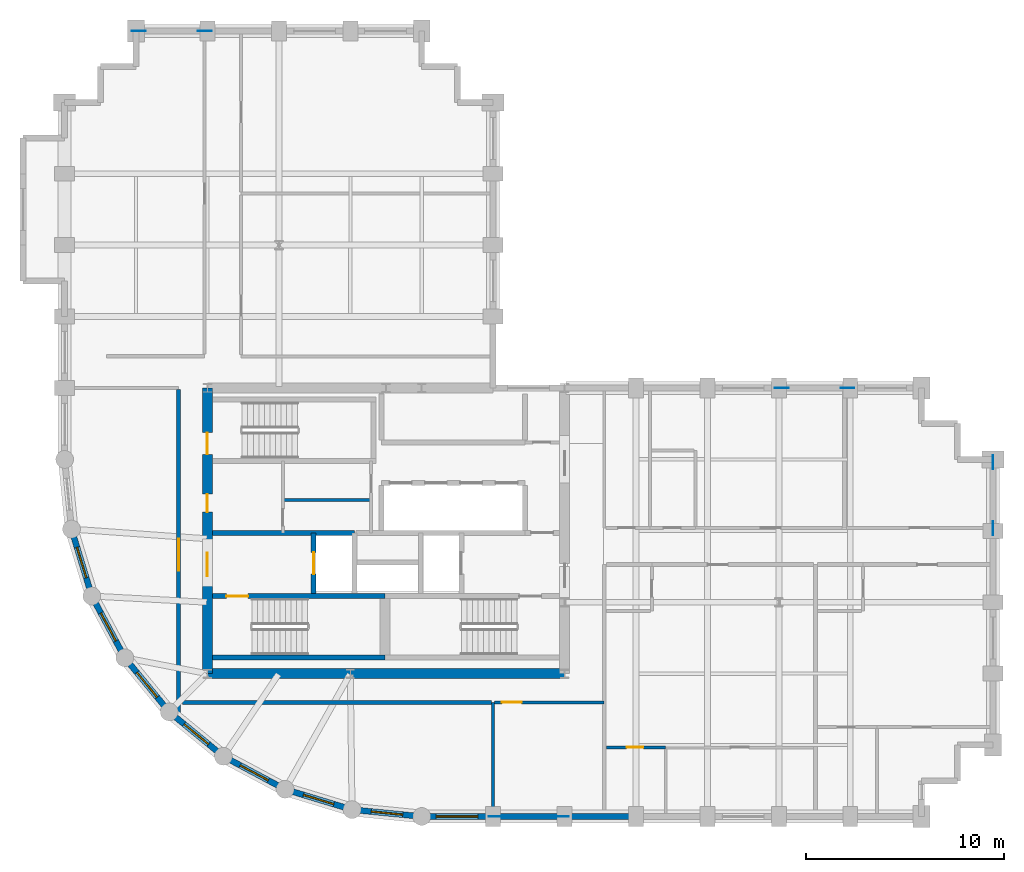
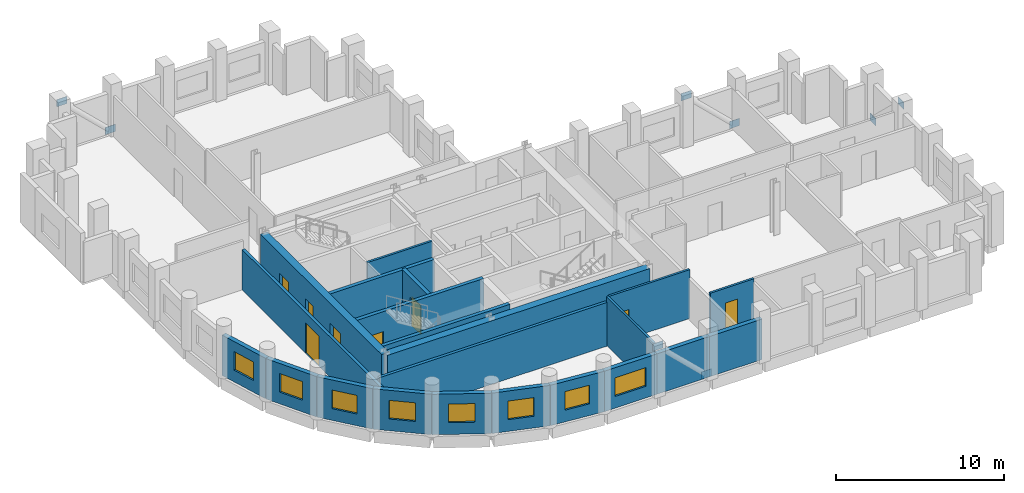
# One storey, part 3 of 8: 22 walls, 8 doors, 8 plates, 8 windows, 16 openings.
"""IFC4 building model written with IfcOpenShell, lengths in metres."""

from ifc_helpers import new_model, si_unit, direction, frame, frame_2d, origin, origin_2d, place, context, subcontext, project, spatial, rectangle, extrude, material, layer, layer_set, type_object, element, fill, save


model = new_model("IFC4")

# Units and contexts
model_context = context("Model", 3, precision=1e-05, world=origin(), true_north=direction((0.0, 1.0)))
body_context = subcontext(model_context, "Body", "Model", "MODEL_VIEW")
ifc_project = project(units=[si_unit("LENGTHUNIT", "METRE"), si_unit("AREAUNIT", "SQUARE_METRE"), si_unit("VOLUMEUNIT", "CUBIC_METRE"), si_unit("PLANEANGLEUNIT", "RADIAN"), si_unit("MASSUNIT", "GRAM", prefix="KILO")], contexts=[model_context])

# Site, building, storey
site_placement = place(None, origin())
site = spatial("IfcSite", under=ifc_project, at=site_placement, CompositionType="ELEMENT")
building_placement = place(site_placement, origin())
building = spatial("IfcBuilding", under=site, at=building_placement, Name="Solnavia Interchange Tower", CompositionType="ELEMENT")
storey_placement = place(building_placement, frame((0.0, 0.0, 161.800048828125)))
storey = spatial("IfcBuildingStorey", under=building, at=storey_placement, Name="L40", CompositionType="ELEMENT", Elevation=161.800048828125)

# Plates
ifc_material_1 = material(Name="Steel S460", Category="steel")
ifc_layer_1 = layer(ifc_material_1, 0.030029296875)
ifc_layer_set_1 = layer_set([ifc_layer_1], Name="Steel S460")
plate_type = type_object("IfcPlateType", Name="Plate-Gusset-700x520x30", PredefinedType="USERDEFINED", material=ifc_layer_set_1)
for number, where, z_axis, x_axis, name in (
    (1, (32.260009765625, 3.60009765625, -0.080078125), (0.0, 0.0, 1.0), (-1.0, 0.0, 0.0), "PLT-L40-GP01 Perimeter brace gusset plate"),
    (2, (28.93994140625, 3.60009765625, 3.10986328125), (0.0, 0.0, 1.0), (-1.0, 0.0, 0.0), "PLT-L40-GP02 Perimeter brace gusset plate"),
    (3, (54.0, 21.4599609375, -0.080078125), (0.0, 0.0, 1.0), (0.0, -1.0, 0.0), "PLT-L40-GP03 Perimeter brace gusset plate"),
    (4, (54.0, 18.139892578125, 3.10986328125), (0.0, 0.0, 1.0), (0.0, -1.0, 0.0), "PLT-L40-GP04 Perimeter brace gusset plate"),
    (5, (14.260009765625, 43.199951171875, -0.080078125), (0.0, 0.0, 1.0), (-1.0, 0.0, 0.0), "PLT-L40-GP05 Perimeter brace gusset plate"),
    (6, (10.93994140625, 43.199951171875, 3.10986328125), (0.0, 0.0, 1.0), (-1.0, 0.0, 0.0), "PLT-L40-GP06 Perimeter brace gusset plate"),
    (7, (46.659912109375, 25.199951171875, -0.080078125), (0.0, 0.0, 1.0), (-1.0, 0.0, 0.0), "PLT-L40-GP07 Perimeter brace gusset plate"),
    (8, (43.340087890625, 25.199951171875, 3.10986328125), (0.0, 0.0, 1.0), (-1.0, 0.0, 0.0), "PLT-L40-GP08 Perimeter brace gusset plate"),
):
    element("IfcPlate", number, at=place(storey_placement, frame(where, z_axis=z_axis, x_axis=x_axis)), inside=storey, type_object=plate_type, Name=name, ObjectType="GUSSET PLATE", PredefinedType="USERDEFINED", context=body_context, shape_type="SweptSolid", body=[
        extrude(rectangle(XDim=0.699951171875, YDim=0.030029296875, at=origin_2d()), origin(), (0.0, 0.0, 1.0), 0.52001953125),
    ])

# Wall, opening, door
ifc_material_2 = material(Name="Gypsum Acoustic Twin-Stud & Mineral Wool", Category="gypsum")
ifc_layer_2 = layer(ifc_material_2, 0.199951171875)
ifc_layer_set_2 = layer_set([ifc_layer_2], Name="Gypsum Acoustic Twin-Stud & Mineral Wool")
wall_type_1 = type_object("IfcWallType", Name="Wall-ApartmentParty-200", PredefinedType="PARTITIONING", material=ifc_layer_set_2)
wall_1_placement = place(storey_placement, frame((12.949951171875, 8.6337890625, 0.0), z_axis=(0.0, 0.0, 1.0), x_axis=(0.0, 1.0, 0.0)))
wall_1 = element("IfcWall", 9, at=wall_1_placement, inside=storey, type_object=wall_type_1, Name="PTW-L40-09 Interior partition wall", PredefinedType="PARTITIONING", context=body_context, shape_type="SweptSolid", body=[
    extrude(rectangle(XDim=16.4873046875, YDim=0.199951171875, at=frame_2d((8.24365234375, 0.0))), origin(), (0.0, 0.0, 1.0), 2.929931640625),
])
opening_1_placement = place(wall_1_placement, frame((7.365966796875, 0.0, 0.0)))
opening_1 = element("IfcOpeningElement", 10, at=opening_1_placement, cuts=wall_1, Name="Opening DR-08", PredefinedType="OPENING", context=body_context, shape_type="SweptSolid", body=[
    extrude(rectangle(XDim=1.60009765625, YDim=2.199951171875, at=frame_2d((0.800048828125, 1.10009765625))), frame((0.0, 0.10986328125, 0.0), z_axis=(0.0, -1.0, 0.0), x_axis=(1.0, 0.0, 0.0)), (0.0, 0.0, 1.0), 0.219970703125),
])
ifc_material_3 = material(Name="Thermally Broken Aluminium & Toughened Glass", Category="aluminium")
door_type_1 = type_object("IfcDoorType", Name="Door-RetailDouble-1600x2200", OperationType="DOUBLE_DOOR_SINGLE_SWING", PredefinedType="DOOR", material=ifc_material_3)
door_1_placement = place(opening_1_placement, origin())
door_1 = element("IfcDoor", 11, at=door_1_placement, inside=storey, type_object=door_type_1, Name="DR-L40-03 Interior room door", OperationType="DOUBLE_DOOR_SINGLE_SWING", OverallHeight=2.199951171875, OverallWidth=1.60009765625, PredefinedType="DOOR", context=body_context, shape_type="SweptSolid", body=[
    extrude(rectangle(XDim=1.60009765625, YDim=2.199951171875, at=frame_2d((0.800048828125, 1.10009765625))), frame((0.0, 0.02490234375, 0.0), z_axis=(0.0, -1.0, 0.0), x_axis=(1.0, 0.0, 0.0)), (0.0, 0.0, 1.0), 0.050048828125),
])
fill(opening_1, door_1)

# Wall
wall_2_placement = place(storey_placement, frame((13.1298828125, 9.35009765625, 0.0), z_axis=(0.0, 0.0, 1.0), x_axis=(1.0, 0.0, 0.0)))
element("IfcWall", 12, at=wall_2_placement, inside=storey, type_object=wall_type_1, Name="PTW-L40-10 Interior partition wall", PredefinedType="PARTITIONING", context=body_context, shape_type="SweptSolid", body=[
    extrude(rectangle(XDim=15.591064453125, YDim=0.199951171875, at=frame_2d((7.79541015625, 0.0))), origin(), (0.0, 0.0, 1.0), 3.169921875),
])

# Wall, opening, window
ifc_material_4 = material(Name="Concrete C40/50", Category="concrete")
ifc_layer_3 = layer(ifc_material_4, 0.300048828125)
ifc_layer_set_3 = layer_set([ifc_layer_3], Name="Concrete C40/50")
wall_type_2 = type_object("IfcWallType", Name="Wall-ExtSpandrel-300", PredefinedType="STANDARD", material=ifc_layer_set_3)
wall_3_placement = place(storey_placement, frame((28.800048828125, 3.60009765625, 0.0), z_axis=(0.0, 0.0, 1.0), x_axis=(-1.0, 0.0, 0.0)))
wall_3 = element("IfcWall", 13, at=wall_3_placement, inside=storey, type_object=wall_type_2, Name="EXW-L40-01 Exterior precast spandrel wall", PredefinedType="STANDARD", context=body_context, shape_type="SweptSolid", body=[
    extrude(rectangle(XDim=3.60009765625, YDim=0.300048828125, at=frame_2d((1.800048828125, 0.0))), origin(), (0.0, 0.0, 1.0), 2.929931640625),
])
opening_2_placement = place(wall_3_placement, frame((0.77490234375, 0.0, 0.85009765625)))
opening_2 = element("IfcOpeningElement", 14, at=opening_2_placement, cuts=wall_3, Name="Opening WIN-01", PredefinedType="OPENING", context=body_context, shape_type="SweptSolid", body=[
    extrude(rectangle(XDim=2.10009765625, YDim=1.35009765625, at=frame_2d((1.050048828125, 0.675048828125))), frame((0.0, 0.16015625, 0.0), z_axis=(0.0, -1.0, 0.0), x_axis=(1.0, 0.0, 0.0)), (0.0, 0.0, 1.0), 0.320068359375),
])
ifc_material_5 = material(Name="Thermal-Break Aluminium & Low-E Glass", Category="aluminium")
window_type_1 = type_object("IfcWindowType", Name="Window-Ribbon-2100x1350", PartitioningType="SINGLE_PANEL", PredefinedType="WINDOW", material=ifc_material_5)
window_1_placement = place(opening_2_placement, origin())
window_1 = element("IfcWindow", 15, at=window_1_placement, inside=storey, type_object=window_type_1, Name="WIN-L40-01 Facade ribbon window", OverallHeight=1.35009765625, OverallWidth=2.10009765625, PartitioningType="SINGLE_PANEL", PredefinedType="WINDOW", context=body_context, shape_type="SweptSolid", body=[
    extrude(rectangle(XDim=2.10009765625, YDim=1.35009765625, at=frame_2d((1.050048828125, 0.675048828125))), frame((0.0, 0.030029296875, 0.0), z_axis=(0.0, -1.0, 0.0), x_axis=(1.0, 0.0, 0.0)), (0.0, 0.0, 1.0), 0.06005859375),
])
fill(opening_2, window_1)

# Walls
wall_4_placement = place(storey_placement, frame((32.39990234375, 3.60009765625, 0.0), z_axis=(0.0, 0.0, 1.0), x_axis=(-1.0, 0.0, 0.0)))
element("IfcWall", 16, at=wall_4_placement, inside=storey, type_object=wall_type_2, Name="EXW-L40-02 Exterior precast spandrel wall", PredefinedType="STANDARD", context=body_context, shape_type="SweptSolid", body=[
    extrude(rectangle(XDim=3.599853515625, YDim=0.300048828125, at=frame_2d((1.7998046875, 0.0))), origin(), (0.0, 0.0, 1.0), 2.929931640625),
])
wall_5_placement = place(storey_placement, frame((36.0, 3.60009765625, 0.0), z_axis=(0.0, 0.0, 1.0), x_axis=(-1.0, 0.0, 0.0)))
element("IfcWall", 17, at=wall_5_placement, inside=storey, type_object=wall_type_2, Name="EXW-L40-03 Exterior precast spandrel wall", PredefinedType="STANDARD", context=body_context, shape_type="SweptSolid", body=[
    extrude(rectangle(XDim=3.60009765625, YDim=0.300048828125, at=frame_2d((1.800048828125, 0.0))), origin(), (0.0, 0.0, 1.0), 2.929931640625),
])

# Wall, opening, window
wall_6_placement = place(storey_placement, frame((8.570068359375, 14.7119140625, 0.0), z_axis=(0.0, 0.0, 1.0), x_axis=(-0.290305086481, 0.956934144423, 0.0)))
wall_6 = element("IfcWall", 18, at=wall_6_placement, inside=storey, type_object=wall_type_2, Name="EXW-L40-52 Exterior precast spandrel wall", PredefinedType="STANDARD", context=body_context, shape_type="SweptSolid", body=[
    extrude(rectangle(XDim=3.52783203125, YDim=0.300048828125, at=frame_2d((1.763916015625, 0.0))), origin(), (0.0, 0.0, 1.0), 2.929931640625),
])
opening_3_placement = place(wall_6_placement, frame((0.964111328125, 0.0, 0.85009765625)))
opening_3 = element("IfcOpeningElement", 19, at=opening_3_placement, cuts=wall_6, Name="Opening WIN-04", PredefinedType="OPENING", context=body_context, shape_type="SweptSolid", body=[
    extrude(rectangle(XDim=1.60009765625, YDim=1.35009765625, at=frame_2d((0.800048828125, 0.675048828125))), frame((0.0, 0.16015625, 0.0), z_axis=(0.0, -1.0, 0.0), x_axis=(1.0, 0.0, 0.0)), (0.0, 0.0, 1.0), 0.320068359375),
])
window_type_2 = type_object("IfcWindowType", Name="Window-Drum-1600x1350", PartitioningType="SINGLE_PANEL", PredefinedType="WINDOW", material=ifc_material_5)
window_2_placement = place(opening_3_placement, origin())
window_2 = element("IfcWindow", 20, at=window_2_placement, inside=storey, type_object=window_type_2, Name="WIN-L40-52 Facade ribbon window", OverallHeight=1.35009765625, OverallWidth=1.60009765625, PartitioningType="SINGLE_PANEL", PredefinedType="WINDOW", context=body_context, shape_type="SweptSolid", body=[
    extrude(rectangle(XDim=1.60009765625, YDim=1.35009765625, at=frame_2d((0.800048828125, 0.675048828125))), frame((0.0, 0.030029296875, 0.0), z_axis=(0.0, -1.0, 0.0), x_axis=(1.0, 0.0, 0.0)), (0.0, 0.0, 1.0), 0.06005859375),
])
fill(opening_3, window_2)

wall_7_placement = place(storey_placement, frame((10.23388671875, 11.60009765625, 0.0), z_axis=(0.0, 0.0, 1.0), x_axis=(-0.47151087309, 0.881860247748, 0.0)))
wall_7 = element("IfcWall", 21, at=wall_7_placement, inside=storey, type_object=wall_type_2, Name="EXW-L40-53 Exterior precast spandrel wall", PredefinedType="STANDARD", context=body_context, shape_type="SweptSolid", body=[
    extrude(rectangle(XDim=3.52880859375, YDim=0.300048828125, at=frame_2d((1.764404296875, 0.0))), origin(), (0.0, 0.0, 1.0), 2.929931640625),
])
opening_4_placement = place(wall_7_placement, frame((0.964111328125, 0.0, 0.85009765625)))
opening_4 = element("IfcOpeningElement", 22, at=opening_4_placement, cuts=wall_7, Name="Opening WIN-04", PredefinedType="OPENING", context=body_context, shape_type="SweptSolid", body=[
    extrude(rectangle(XDim=1.60009765625, YDim=1.35009765625, at=frame_2d((0.800048828125, 0.675048828125))), frame((0.0, 0.16015625, 0.0), z_axis=(0.0, -1.0, 0.0), x_axis=(1.0, 0.0, 0.0)), (0.0, 0.0, 1.0), 0.320068359375),
])
window_3_placement = place(opening_4_placement, origin())
window_3 = element("IfcWindow", 23, at=window_3_placement, inside=storey, type_object=window_type_2, Name="WIN-L40-53 Facade ribbon window", OverallHeight=1.35009765625, OverallWidth=1.60009765625, PartitioningType="SINGLE_PANEL", PredefinedType="WINDOW", context=body_context, shape_type="SweptSolid", body=[
    extrude(rectangle(XDim=1.60009765625, YDim=1.35009765625, at=frame_2d((0.800048828125, 0.675048828125))), frame((0.0, 0.030029296875, 0.0), z_axis=(0.0, -1.0, 0.0), x_axis=(1.0, 0.0, 0.0)), (0.0, 0.0, 1.0), 0.06005859375),
])
fill(opening_4, window_3)

wall_8_placement = place(storey_placement, frame((12.471923828125, 8.8720703125, 0.0), z_axis=(0.0, 0.0, 1.0), x_axis=(-0.634258295121, 0.773121216285, 0.0)))
wall_8 = element("IfcWall", 24, at=wall_8_placement, inside=storey, type_object=wall_type_2, Name="EXW-L40-54 Exterior precast spandrel wall", PredefinedType="STANDARD", context=body_context, shape_type="SweptSolid", body=[
    extrude(rectangle(XDim=3.528564453125, YDim=0.300048828125, at=frame_2d((1.76416015625, 0.0))), origin(), (0.0, 0.0, 1.0), 2.929931640625),
])
opening_5_placement = place(wall_8_placement, frame((0.964111328125, 0.0, 0.85009765625)))
opening_5 = element("IfcOpeningElement", 25, at=opening_5_placement, cuts=wall_8, Name="Opening WIN-04", PredefinedType="OPENING", context=body_context, shape_type="SweptSolid", body=[
    extrude(rectangle(XDim=1.60009765625, YDim=1.35009765625, at=frame_2d((0.800048828125, 0.675048828125))), frame((0.0, 0.16015625, 0.0), z_axis=(0.0, -1.0, 0.0), x_axis=(1.0, 0.0, 0.0)), (0.0, 0.0, 1.0), 0.320068359375),
])
window_4_placement = place(opening_5_placement, origin())
window_4 = element("IfcWindow", 26, at=window_4_placement, inside=storey, type_object=window_type_2, Name="WIN-L40-54 Facade ribbon window", OverallHeight=1.35009765625, OverallWidth=1.60009765625, PartitioningType="SINGLE_PANEL", PredefinedType="WINDOW", context=body_context, shape_type="SweptSolid", body=[
    extrude(rectangle(XDim=1.60009765625, YDim=1.35009765625, at=frame_2d((0.800048828125, 0.675048828125))), frame((0.0, 0.030029296875, 0.0), z_axis=(0.0, -1.0, 0.0), x_axis=(1.0, 0.0, 0.0)), (0.0, 0.0, 1.0), 0.06005859375),
])
fill(opening_5, window_4)

wall_9_placement = place(storey_placement, frame((15.199951171875, 6.634033203125, 0.0), z_axis=(0.0, 0.0, 1.0), x_axis=(-0.773121216285, 0.634258295121, 0.0)))
wall_9 = element("IfcWall", 27, at=wall_9_placement, inside=storey, type_object=wall_type_2, Name="EXW-L40-55 Exterior precast spandrel wall", PredefinedType="STANDARD", context=body_context, shape_type="SweptSolid", body=[
    extrude(rectangle(XDim=3.528564453125, YDim=0.300048828125, at=frame_2d((1.76416015625, 0.0))), origin(), (0.0, 0.0, 1.0), 2.929931640625),
])
opening_6_placement = place(wall_9_placement, frame((0.964111328125, 0.0, 0.85009765625)))
opening_6 = element("IfcOpeningElement", 28, at=opening_6_placement, cuts=wall_9, Name="Opening WIN-04", PredefinedType="OPENING", context=body_context, shape_type="SweptSolid", body=[
    extrude(rectangle(XDim=1.60009765625, YDim=1.35009765625, at=frame_2d((0.800048828125, 0.675048828125))), frame((0.0, 0.16015625, 0.0), z_axis=(0.0, -1.0, 0.0), x_axis=(1.0, 0.0, 0.0)), (0.0, 0.0, 1.0), 0.320068359375),
])
window_5_placement = place(opening_6_placement, origin())
window_5 = element("IfcWindow", 29, at=window_5_placement, inside=storey, type_object=window_type_2, Name="WIN-L40-55 Facade ribbon window", OverallHeight=1.35009765625, OverallWidth=1.60009765625, PartitioningType="SINGLE_PANEL", PredefinedType="WINDOW", context=body_context, shape_type="SweptSolid", body=[
    extrude(rectangle(XDim=1.60009765625, YDim=1.35009765625, at=frame_2d((0.800048828125, 0.675048828125))), frame((0.0, 0.030029296875, 0.0), z_axis=(0.0, -1.0, 0.0), x_axis=(1.0, 0.0, 0.0)), (0.0, 0.0, 1.0), 0.06005859375),
])
fill(opening_6, window_5)

wall_10_placement = place(storey_placement, frame((18.31201171875, 4.969970703125, 0.0), z_axis=(0.0, 0.0, 1.0), x_axis=(-0.881846862014, 0.471535907389, 0.0)))
wall_10 = element("IfcWall", 30, at=wall_10_placement, inside=storey, type_object=wall_type_2, Name="EXW-L40-56 Exterior precast spandrel wall", PredefinedType="STANDARD", context=body_context, shape_type="SweptSolid", body=[
    extrude(rectangle(XDim=3.529052734375, YDim=0.300048828125, at=frame_2d((1.7646484375, 0.0))), origin(), (0.0, 0.0, 1.0), 2.929931640625),
])
opening_7_placement = place(wall_10_placement, frame((0.964111328125, 0.0, 0.85009765625)))
opening_7 = element("IfcOpeningElement", 31, at=opening_7_placement, cuts=wall_10, Name="Opening WIN-04", PredefinedType="OPENING", context=body_context, shape_type="SweptSolid", body=[
    extrude(rectangle(XDim=1.60009765625, YDim=1.35009765625, at=frame_2d((0.800048828125, 0.675048828125))), frame((0.0, 0.16015625, 0.0), z_axis=(0.0, -1.0, 0.0), x_axis=(1.0, 0.0, 0.0)), (0.0, 0.0, 1.0), 0.320068359375),
])
window_6_placement = place(opening_7_placement, origin())
window_6 = element("IfcWindow", 32, at=window_6_placement, inside=storey, type_object=window_type_2, Name="WIN-L40-56 Facade ribbon window", OverallHeight=1.35009765625, OverallWidth=1.60009765625, PartitioningType="SINGLE_PANEL", PredefinedType="WINDOW", context=body_context, shape_type="SweptSolid", body=[
    extrude(rectangle(XDim=1.60009765625, YDim=1.35009765625, at=frame_2d((0.800048828125, 0.675048828125))), frame((0.0, 0.030029296875, 0.0), z_axis=(0.0, -1.0, 0.0), x_axis=(1.0, 0.0, 0.0)), (0.0, 0.0, 1.0), 0.06005859375),
])
fill(opening_7, window_6)

wall_11_placement = place(storey_placement, frame((21.68798828125, 3.946044921875, 0.0), z_axis=(0.0, 0.0, 1.0), x_axis=(-0.956953367403, 0.290241714123, 0.0)))
wall_11 = element("IfcWall", 33, at=wall_11_placement, inside=storey, type_object=wall_type_2, Name="EXW-L40-57 Exterior precast spandrel wall", PredefinedType="STANDARD", context=body_context, shape_type="SweptSolid", body=[
    extrude(rectangle(XDim=3.52783203125, YDim=0.300048828125, at=frame_2d((1.763916015625, 0.0))), origin(), (0.0, 0.0, 1.0), 2.929931640625),
])
opening_8_placement = place(wall_11_placement, frame((0.964111328125, 0.0, 0.85009765625)))
opening_8 = element("IfcOpeningElement", 34, at=opening_8_placement, cuts=wall_11, Name="Opening WIN-04", PredefinedType="OPENING", context=body_context, shape_type="SweptSolid", body=[
    extrude(rectangle(XDim=1.60009765625, YDim=1.35009765625, at=frame_2d((0.800048828125, 0.675048828125))), frame((0.0, 0.16015625, 0.0), z_axis=(0.0, -1.0, 0.0), x_axis=(1.0, 0.0, 0.0)), (0.0, 0.0, 1.0), 0.320068359375),
])
window_7_placement = place(opening_8_placement, origin())
window_7 = element("IfcWindow", 35, at=window_7_placement, inside=storey, type_object=window_type_2, Name="WIN-L40-57 Facade ribbon window", OverallHeight=1.35009765625, OverallWidth=1.60009765625, PartitioningType="SINGLE_PANEL", PredefinedType="WINDOW", context=body_context, shape_type="SweptSolid", body=[
    extrude(rectangle(XDim=1.60009765625, YDim=1.35009765625, at=frame_2d((0.800048828125, 0.675048828125))), frame((0.0, 0.030029296875, 0.0), z_axis=(0.0, -1.0, 0.0), x_axis=(1.0, 0.0, 0.0)), (0.0, 0.0, 1.0), 0.06005859375),
])
fill(opening_8, window_7)

wall_12_placement = place(storey_placement, frame((25.199951171875, 3.60009765625, 0.0), z_axis=(0.0, 0.0, 1.0), x_axis=(-0.995183369056, 0.098030923459, 0.0)))
wall_12 = element("IfcWall", 36, at=wall_12_placement, inside=storey, type_object=wall_type_2, Name="EXW-L40-58 Exterior precast spandrel wall", PredefinedType="STANDARD", context=body_context, shape_type="SweptSolid", body=[
    extrude(rectangle(XDim=3.529052734375, YDim=0.300048828125, at=frame_2d((1.7646484375, 0.0))), origin(), (0.0, 0.0, 1.0), 2.929931640625),
])
opening_9_placement = place(wall_12_placement, frame((0.965087890625, 0.0, 0.85009765625)))
opening_9 = element("IfcOpeningElement", 37, at=opening_9_placement, cuts=wall_12, Name="Opening WIN-04", PredefinedType="OPENING", context=body_context, shape_type="SweptSolid", body=[
    extrude(rectangle(XDim=1.60009765625, YDim=1.35009765625, at=frame_2d((0.800048828125, 0.675048828125))), frame((0.0, 0.16015625, 0.0), z_axis=(0.0, -1.0, 0.0), x_axis=(1.0, 0.0, 0.0)), (0.0, 0.0, 1.0), 0.320068359375),
])
window_8_placement = place(opening_9_placement, origin())
window_8 = element("IfcWindow", 38, at=window_8_placement, inside=storey, type_object=window_type_2, Name="WIN-L40-58 Facade ribbon window", OverallHeight=1.35009765625, OverallWidth=1.60009765625, PartitioningType="SINGLE_PANEL", PredefinedType="WINDOW", context=body_context, shape_type="SweptSolid", body=[
    extrude(rectangle(XDim=1.60009765625, YDim=1.35009765625, at=frame_2d((0.800048828125, 0.675048828125))), frame((0.0, 0.030029296875, 0.0), z_axis=(0.0, -1.0, 0.0), x_axis=(1.0, 0.0, 0.0)), (0.0, 0.0, 1.0), 0.06005859375),
])
fill(opening_9, window_8)

# Walls
ifc_material_6 = material(Name="Gypsum Plasterboard & Steel Stud", Category="steel")
ifc_layer_4 = layer(ifc_material_6, 0.14990234375)
ifc_layer_set_4 = layer_set([ifc_layer_4], Name="Gypsum Plasterboard & Steel Stud")
wall_type_3 = type_object("IfcWallType", Name="Wall-Partition-150", PredefinedType="PARTITIONING", material=ifc_layer_set_4)
wall_13_placement = place(storey_placement, frame((18.199951171875, 19.550048828125, 0.0), z_axis=(0.0, 0.0, 1.0), x_axis=(1.0, 0.0, 0.0)))
element("IfcWall", 39, at=wall_13_placement, inside=storey, type_object=wall_type_3, Name="CSW-L40-H1 Core shaft wall", PredefinedType="PARTITIONING", context=body_context, shape_type="SweptSolid", body=[
    extrude(rectangle(XDim=4.449951171875, YDim=0.14990234375, at=frame_2d((2.22509765625, 0.0))), origin(), (0.0, 0.0, 1.0), 3.534912109375),
])
wall_14_placement = place(storey_placement, frame((28.800048828125, 9.35009765625, 0.0), z_axis=(0.0, 0.0, 1.0), x_axis=(0.0, -1.0, 0.0)))
element("IfcWall", 40, at=wall_14_placement, inside=storey, type_object=wall_type_3, Name="PTW-L40-08 Interior partition wall", PredefinedType="PARTITIONING", context=body_context, shape_type="SweptSolid", body=[
    extrude(rectangle(XDim=5.59619140625, YDim=0.14990234375, at=frame_2d((2.798095703125, 0.0))), origin(), (0.0, 0.0, 1.0), 3.534912109375),
])

# Wall, opening, door
wall_15_placement = place(storey_placement, frame((28.87890625, 9.35009765625, 0.0), z_axis=(0.0, 0.0, 1.0), x_axis=(1.0, 0.0, 0.0)))
wall_15 = element("IfcWall", 41, at=wall_15_placement, inside=storey, type_object=wall_type_3, Name="PTW-L40-11 Interior partition wall", PredefinedType="PARTITIONING", context=body_context, shape_type="SweptSolid", body=[
    extrude(rectangle(XDim=5.52099609375, YDim=0.14990234375, at=frame_2d((2.760498046875, 0.0))), origin(), (0.0, 0.0, 1.0), 3.534912109375),
])
opening_10_placement = place(wall_15_placement, frame((0.360107421875, 0.0, 0.0)))
opening_10 = element("IfcOpeningElement", 42, at=opening_10_placement, cuts=wall_15, Name="Opening DR-07", PredefinedType="OPENING", context=body_context, shape_type="SweptSolid", body=[
    extrude(rectangle(XDim=1.0, YDim=2.10009765625, at=frame_2d((0.5, 1.050048828125))), frame((0.0, 0.0849609375, 0.0), z_axis=(0.0, -1.0, 0.0), x_axis=(1.0, 0.0, 0.0)), (0.0, 0.0, 1.0), 0.169921875),
])
ifc_material_7 = material(Name="Timber & Acoustic Glazed Office Door", Category="wood")
door_type_2 = type_object("IfcDoorType", Name="Door-Office-1000x2100", OperationType="SINGLE_SWING_RIGHT", PredefinedType="DOOR", material=ifc_material_7)
door_2_placement = place(opening_10_placement, origin())
door_2 = element("IfcDoor", 43, at=door_2_placement, inside=storey, type_object=door_type_2, Name="DR-L40-04 Interior room door", OperationType="SINGLE_SWING_LEFT", OverallHeight=2.10009765625, OverallWidth=1.0, PredefinedType="DOOR", context=body_context, shape_type="SweptSolid", body=[
    extrude(rectangle(XDim=1.0, YDim=2.10009765625, at=frame_2d((0.5, 1.050048828125))), frame((0.0, 0.02490234375, 0.0), z_axis=(0.0, -1.0, 0.0), x_axis=(1.0, 0.0, 0.0)), (0.0, 0.0, 1.0), 0.050048828125),
])
fill(opening_10, door_2)

# Wall
ifc_layer_5 = layer(ifc_material_4, 0.25)
ifc_layer_set_5 = layer_set([ifc_layer_5], Name="Concrete C40/50")
wall_type_4 = type_object("IfcWallType", Name="Wall-ShaftCore-250", PredefinedType="SHEAR", material=ifc_layer_set_5)
wall_16_placement = place(storey_placement, frame((14.64990234375, 11.625, 0.0), z_axis=(0.0, 0.0, 1.0), x_axis=(1.0, 0.0, 0.0)))
element("IfcWall", 44, at=wall_16_placement, inside=storey, type_object=wall_type_4, Name="SHW-L40-ST1S Core shear wall", PredefinedType="SHEAR", context=body_context, shape_type="SweptSolid", body=[
    extrude(rectangle(XDim=8.7001953125, YDim=0.25, at=frame_2d((4.35009765625, 0.0))), origin(), (0.0, 0.0, 1.0), 3.550048828125),
])

# Wall, opening, door
wall_17_placement = place(storey_placement, frame((14.64990234375, 14.715087890625, 0.0), z_axis=(0.0, 0.0, 1.0), x_axis=(1.0, 0.0, 0.0)))
wall_17 = element("IfcWall", 45, at=wall_17_placement, inside=storey, type_object=wall_type_4, Name="SHW-L40-ST1N Core shear wall", PredefinedType="SHEAR", context=body_context, shape_type="SweptSolid", body=[
    extrude(rectangle(XDim=8.7001953125, YDim=0.25, at=frame_2d((4.35009765625, 0.0))), origin(), (0.0, 0.0, 1.0), 3.550048828125),
])
opening_11_placement = place(wall_17_placement, frame((0.705078125, 0.0, 0.0)))
opening_11 = element("IfcOpeningElement", 46, at=opening_11_placement, cuts=wall_17, Name="Opening DR-01", PredefinedType="OPENING", context=body_context, shape_type="SweptSolid", body=[
    extrude(rectangle(XDim=1.10009765625, YDim=2.10009765625, at=frame_2d((0.550048828125, 1.050048828125))), frame((0.0, 0.135009765625, 0.0), z_axis=(0.0, -1.0, 0.0), x_axis=(1.0, 0.0, 0.0)), (0.0, 0.0, 1.0), 0.27001953125),
])
ifc_material_8 = material(Name="Steel Fire-Rated Leaf & Frame", Category="steel")
door_type_3 = type_object("IfcDoorType", Name="Door-StairFire-1100x2100", OperationType="SINGLE_SWING_LEFT", PredefinedType="DOOR", material=ifc_material_8)
door_3_placement = place(opening_11_placement, origin())
door_3 = element("IfcDoor", 47, at=door_3_placement, inside=storey, type_object=door_type_3, Name="DR-L40-ST1 Core fire door", OperationType="SINGLE_SWING_LEFT", OverallHeight=2.10009765625, OverallWidth=1.10009765625, PredefinedType="DOOR", context=body_context, shape_type="SweptSolid", body=[
    extrude(rectangle(XDim=1.10009765625, YDim=2.10009765625, at=frame_2d((0.550048828125, 1.050048828125))), frame((0.0, 0.02490234375, 0.0), z_axis=(0.0, -1.0, 0.0), x_axis=(1.0, 0.0, 0.0)), (0.0, 0.0, 1.0), 0.050048828125),
])
fill(opening_11, door_3)

# Wall
ifc_layer_6 = layer(ifc_material_4, 0.25)
ifc_layer_set_6 = layer_set([ifc_layer_6], Name="Concrete C40/50")
wall_type_5 = type_object("IfcWallType", Name="Wall-ShaftPart-250", PredefinedType="PARTITIONING", material=ifc_layer_set_6)
wall_18_placement = place(storey_placement, frame((14.64990234375, 17.89990234375, 0.0), z_axis=(0.0, 0.0, 1.0), x_axis=(1.0, 0.0, 0.0)))
element("IfcWall", 48, at=wall_18_placement, inside=storey, type_object=wall_type_5, Name="SHW-L40-FFLW-N Core shaft wall", PredefinedType="PARTITIONING", context=body_context, shape_type="SweptSolid", body=[
    extrude(rectangle(XDim=7.150146484375, YDim=0.25, at=frame_2d((3.5751953125, 0.0))), origin(), (0.0, 0.0, 1.0), 3.534912109375),
])

# Wall, opening, door
wall_19_placement = place(storey_placement, frame((19.75, 14.840087890625, 0.0), z_axis=(0.0, 0.0, 1.0), x_axis=(0.0, 1.0, 0.0)))
wall_19 = element("IfcWall", 49, at=wall_19_placement, inside=storey, type_object=wall_type_5, Name="SHW-L40-FFL1-W Core shaft wall", PredefinedType="PARTITIONING", context=body_context, shape_type="SweptSolid", body=[
    extrude(rectangle(XDim=3.059814453125, YDim=0.25, at=frame_2d((1.52978515625, 0.0))), origin(), (0.0, 0.0, 1.0), 3.534912109375),
])
opening_12_placement = place(wall_19_placement, frame((0.97998046875, 0.0, 0.0)))
opening_12 = element("IfcOpeningElement", 50, at=opening_12_placement, cuts=wall_19, Name="Opening LD-01", PredefinedType="OPENING", context=body_context, shape_type="SweptSolid", body=[
    extrude(rectangle(XDim=1.10009765625, YDim=2.10009765625, at=frame_2d((0.550048828125, 1.050048828125))), frame((0.0, 0.135009765625, 0.0), z_axis=(0.0, -1.0, 0.0), x_axis=(1.0, 0.0, 0.0)), (0.0, 0.0, 1.0), 0.27001953125),
])
ifc_material_9 = material(Name="Brushed Stainless Steel Sliding Door", Category="steel")
door_type_4 = type_object("IfcDoorType", Name="Door-LiftLanding-1100x2100", OperationType="SLIDING_TO_LEFT", PredefinedType="DOOR", material=ifc_material_9)
door_4_placement = place(opening_12_placement, origin())
door_4 = element("IfcDoor", 51, at=door_4_placement, inside=storey, type_object=door_type_4, Name="LD-L40-FFL1 Lift landing sliding door", OperationType="SLIDING_TO_LEFT", OverallHeight=2.10009765625, OverallWidth=1.10009765625, PredefinedType="DOOR", context=body_context, shape_type="SweptSolid", body=[
    extrude(rectangle(XDim=1.10009765625, YDim=2.10009765625, at=frame_2d((0.550048828125, 1.050048828125))), frame((0.0, 0.02490234375, 0.0), z_axis=(0.0, -1.0, 0.0), x_axis=(1.0, 0.0, 0.0)), (0.0, 0.0, 1.0), 0.050048828125),
])
fill(opening_12, door_4)

# Wall
ifc_material_10 = material(Name="Concrete C60/75", Category="concrete")
ifc_layer_7 = layer(ifc_material_10, 0.5)
ifc_layer_set_7 = layer_set([ifc_layer_7], Name="Concrete C60/75")
wall_type_6 = type_object("IfcWallType", Name="Wall-ShearCore-500", PredefinedType="SHEAR", material=ifc_layer_set_7)
wall_20_placement = place(storey_placement, frame((14.39990234375, 10.800048828125, 0.0), z_axis=(0.0, 0.0, 1.0), x_axis=(1.0, 0.0, 0.0)))
element("IfcWall", 52, at=wall_20_placement, inside=storey, type_object=wall_type_6, Name="CRW-L40-S Core shear wall", PredefinedType="SHEAR", context=body_context, shape_type="SweptSolid", body=[
    extrude(rectangle(XDim=18.0, YDim=0.5, at=frame_2d((9.0, 0.0))), origin(), (0.0, 0.0, 1.0), 3.550048828125),
])

# Wall, openings, doors
wall_21_placement = place(storey_placement, frame((14.39990234375, 10.800048828125, 0.0), z_axis=(0.0, 0.0, 1.0), x_axis=(0.0, 1.0, 0.0)))
wall_21 = element("IfcWall", 53, at=wall_21_placement, inside=storey, type_object=wall_type_6, Name="CRW-L40-W Core shear wall", PredefinedType="SHEAR", context=body_context, shape_type="SweptSolid", body=[
    extrude(rectangle(XDim=14.39990234375, YDim=0.5, at=frame_2d((7.199951171875, 0.0))), origin(), (0.0, 0.0, 1.0), 3.550048828125),
])
opening_13_placement = place(wall_21_placement, frame((11.050048828125, 0.0, 0.0)))
opening_13 = element("IfcOpeningElement", 54, at=opening_13_placement, cuts=wall_21, Name="Opening DR-01", PredefinedType="OPENING", context=body_context, shape_type="SweptSolid", body=[
    extrude(rectangle(XDim=1.10009765625, YDim=2.10009765625, at=frame_2d((0.550048828125, 1.050048828125))), frame((0.0, 0.260009765625, 0.0), z_axis=(0.0, -1.0, 0.0), x_axis=(1.0, 0.0, 0.0)), (0.0, 0.0, 1.0), 0.52001953125),
])
opening_14_placement = place(wall_21_placement, frame((4.89990234375, 0.0, 0.0)))
opening_14 = element("IfcOpeningElement", 55, at=opening_14_placement, cuts=wall_21, Name="Opening DR-02", PredefinedType="OPENING", context=body_context, shape_type="SweptSolid", body=[
    extrude(rectangle(XDim=1.199951171875, YDim=2.10009765625, at=frame_2d((0.60009765625, 1.050048828125))), frame((0.0, 0.260009765625, 0.0), z_axis=(0.0, -1.0, 0.0), x_axis=(1.0, 0.0, 0.0)), (0.0, 0.0, 1.0), 0.52001953125),
])
opening_15_placement = place(wall_21_placement, frame((8.14990234375, 0.0, 0.0)))
opening_15 = element("IfcOpeningElement", 56, at=opening_15_placement, cuts=wall_21, Name="Opening DR-09", PredefinedType="OPENING", context=body_context, shape_type="SweptSolid", body=[
    extrude(rectangle(XDim=0.89990234375, YDim=2.10009765625, at=frame_2d((0.449951171875, 1.050048828125))), frame((0.0, 0.260009765625, 0.0), z_axis=(0.0, -1.0, 0.0), x_axis=(1.0, 0.0, 0.0)), (0.0, 0.0, 1.0), 0.52001953125),
])
ifc_material_11 = material(Name="Engineered Oak Veneer Door", Category="wood")
door_type_5 = type_object("IfcDoorType", Name="Door-Internal-900x2100", OperationType="SINGLE_SWING_LEFT", PredefinedType="DOOR", material=ifc_material_11)
door_5_placement = place(opening_15_placement, origin())
door_5 = element("IfcDoor", 57, at=door_5_placement, inside=storey, type_object=door_type_5, Name="DR-L40-CS1 Core fire door", OperationType="SINGLE_SWING_RIGHT", OverallHeight=2.10009765625, OverallWidth=0.89990234375, PredefinedType="DOOR", context=body_context, shape_type="SweptSolid", body=[
    extrude(rectangle(XDim=0.89990234375, YDim=2.10009765625, at=frame_2d((0.449951171875, 1.050048828125))), frame((0.0, 0.02490234375, 0.0), z_axis=(0.0, -1.0, 0.0), x_axis=(1.0, 0.0, 0.0)), (0.0, 0.0, 1.0), 0.050048828125),
])
fill(opening_15, door_5)
ifc_material_12 = material(Name="Steel Fire-Rated Vision-Panel Door", Category="steel")
door_type_6 = type_object("IfcDoorType", Name="Door-LobbyFire-1200x2100", OperationType="SINGLE_SWING_RIGHT", PredefinedType="DOOR", material=ifc_material_12)
door_6_placement = place(opening_14_placement, origin())
door_6 = element("IfcDoor", 58, at=door_6_placement, inside=storey, type_object=door_type_6, Name="DR-L40-FFL1W Core fire door", OperationType="SINGLE_SWING_RIGHT", OverallHeight=2.10009765625, OverallWidth=1.199951171875, PredefinedType="DOOR", context=body_context, shape_type="SweptSolid", body=[
    extrude(rectangle(XDim=1.199951171875, YDim=2.10009765625, at=frame_2d((0.60009765625, 1.050048828125))), frame((0.0, 0.02490234375, 0.0), z_axis=(0.0, -1.0, 0.0), x_axis=(1.0, 0.0, 0.0)), (0.0, 0.0, 1.0), 0.050048828125),
])
fill(opening_14, door_6)
door_7_placement = place(opening_13_placement, origin())
door_7 = element("IfcDoor", 59, at=door_7_placement, inside=storey, type_object=door_type_3, Name="DR-L40-ST3 Core fire door", OperationType="SINGLE_SWING_RIGHT", OverallHeight=2.10009765625, OverallWidth=1.10009765625, PredefinedType="DOOR", context=body_context, shape_type="SweptSolid", body=[
    extrude(rectangle(XDim=1.10009765625, YDim=2.10009765625, at=frame_2d((0.550048828125, 1.050048828125))), frame((0.0, 0.02490234375, 0.0), z_axis=(0.0, -1.0, 0.0), x_axis=(1.0, 0.0, 0.0)), (0.0, 0.0, 1.0), 0.050048828125),
])
fill(opening_13, door_7)

# Wall, opening, door
ifc_material_13 = material(Name="Moisture-Resistant Gypsum & Steel Stud", Category="steel")
ifc_layer_8 = layer(ifc_material_13, 0.14990234375)
ifc_layer_set_8 = layer_set([ifc_layer_8], Name="Moisture-Resistant Gypsum & Steel Stud")
wall_type_7 = type_object("IfcWallType", Name="Wall-WetRoom-150", PredefinedType="PARTITIONING", material=ifc_layer_set_8)
wall_22_placement = place(storey_placement, frame((34.50390625, 7.080078125, 0.0), z_axis=(0.0, 0.0, 1.0), x_axis=(1.0, 0.0, 0.0)))
wall_22 = element("IfcWall", 60, at=wall_22_placement, inside=storey, type_object=wall_type_7, Name="PTW-L40-19 Interior partition wall", PredefinedType="PARTITIONING", context=body_context, shape_type="SweptSolid", body=[
    extrude(rectangle(XDim=2.99609375, YDim=0.14990234375, at=frame_2d((1.498046875, 0.0))), origin(), (0.0, 0.0, 1.0), 3.169921875),
])
opening_16_placement = place(wall_22_placement, frame((1.02099609375, 0.0, 0.0)))
opening_16 = element("IfcOpeningElement", 61, at=opening_16_placement, cuts=wall_22, Name="Opening DR-10", PredefinedType="OPENING", context=body_context, shape_type="SweptSolid", body=[
    extrude(rectangle(XDim=0.85009765625, YDim=2.10009765625, at=frame_2d((0.425048828125, 1.050048828125))), frame((0.0, 0.0849609375, 0.0), z_axis=(0.0, -1.0, 0.0), x_axis=(1.0, 0.0, 0.0)), (0.0, 0.0, 1.0), 0.169921875),
])
ifc_material_14 = material(Name="Moisture-Resistant Timber Door", Category="wood")
door_type_7 = type_object("IfcDoorType", Name="Door-Bathroom-850x2100", OperationType="SINGLE_SWING_RIGHT", PredefinedType="DOOR", material=ifc_material_14)
door_8_placement = place(opening_16_placement, origin())
door_8 = element("IfcDoor", 62, at=door_8_placement, inside=storey, type_object=door_type_7, Name="DR-L40-08 Interior room door", OperationType="SINGLE_SWING_LEFT", OverallHeight=2.10009765625, OverallWidth=0.85009765625, PredefinedType="DOOR", context=body_context, shape_type="SweptSolid", body=[
    extrude(rectangle(XDim=0.85009765625, YDim=2.10009765625, at=frame_2d((0.425048828125, 1.050048828125))), frame((0.0, 0.02490234375, 0.0), z_axis=(0.0, -1.0, 0.0), x_axis=(1.0, 0.0, 0.0)), (0.0, 0.0, 1.0), 0.050048828125),
])
fill(opening_16, door_8)

save(model, "model.ifc")
